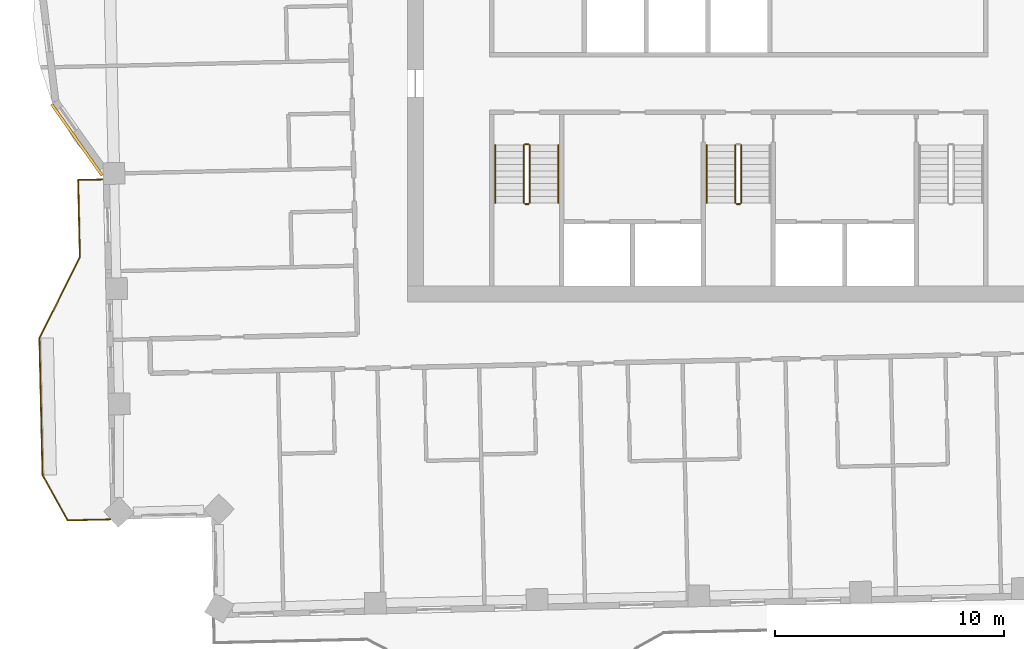
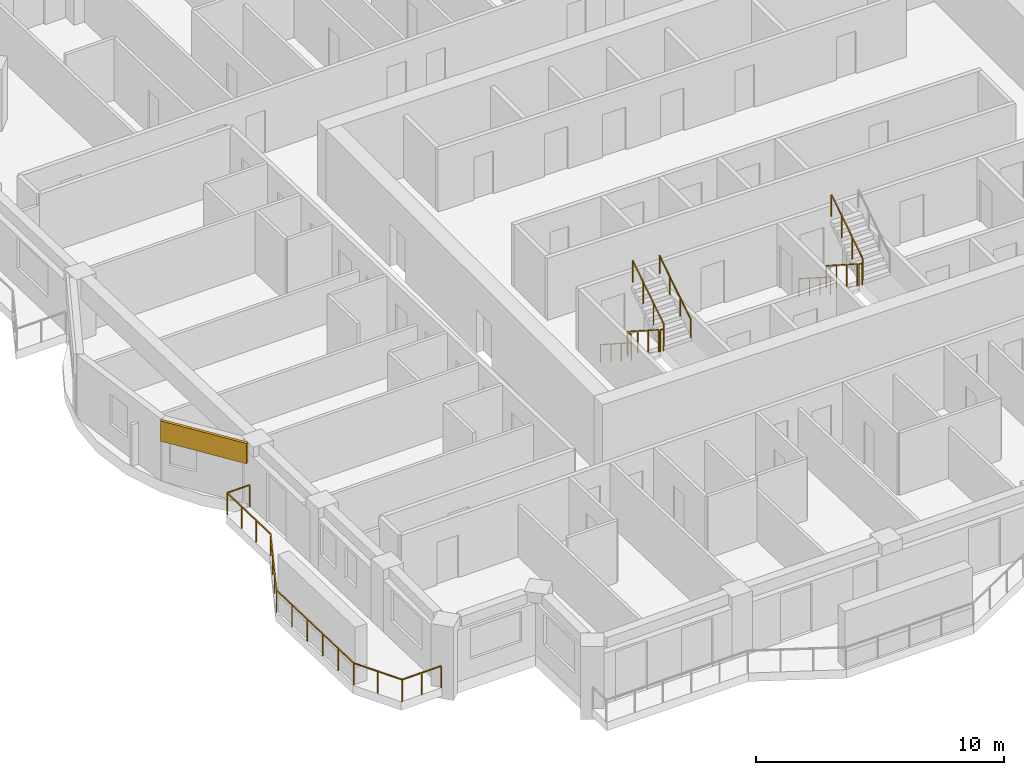
# One storey, part 14 of 18: 11 railings, 1 covering.
"""IFC4 building model written with IfcOpenShell, lengths in metres."""

from ifc_helpers import new_model, si_unit, direction, frame, frame_2d, origin, origin_2d, place, context, subcontext, project, spatial, rectangle, circle, extrude, material, layer, layer_set, type_object, element, save


model = new_model("IFC4")

# Units and contexts
model_context = context("Model", 3, precision=1e-05, world=origin(), true_north=direction((0.0, 1.0)))
body_context = subcontext(model_context, "Body", "Model", "MODEL_VIEW")
ifc_project = project(units=[si_unit("LENGTHUNIT", "METRE"), si_unit("AREAUNIT", "SQUARE_METRE"), si_unit("VOLUMEUNIT", "CUBIC_METRE"), si_unit("PLANEANGLEUNIT", "RADIAN"), si_unit("MASSUNIT", "GRAM", prefix="KILO")], contexts=[model_context])

# Site, building, storey
site_placement = place(None, origin())
site = spatial("IfcSite", under=ifc_project, at=site_placement, CompositionType="ELEMENT")
building_placement = place(site_placement, origin())
building = spatial("IfcBuilding", under=site, at=building_placement, Name="Mangrove Gate Tower", CompositionType="ELEMENT")
storey_placement = place(building_placement, frame((0.0, 0.0, 290.699951171875)))
storey = spatial("IfcBuildingStorey", under=building, at=storey_placement, Name="L74", CompositionType="ELEMENT", Elevation=290.699951171875)

# Railings
ifc_material_1 = material(Name="Stainless steel grade 316 with laminated glass infill", Category="steel")
railing_type_1 = type_object("IfcRailingType", Name="Balcony guard 1100", PredefinedType="GUARDRAIL", material=ifc_material_1)
railing_1_placement = place(storey_placement, frame((-27.839111328125, -6.14501953125, 0.0)))
element("IfcRailing", 1, at=railing_1_placement, inside=storey, type_object=railing_type_1, Name="GUARD L74 W2", PredefinedType="GUARDRAIL", context=body_context, shape_type="SweptSolid", body=[
    extrude(rectangle(XDim=0.048095703125, YDim=0.048095703125, at=origin_2d()), frame((0.0, 0.0, 1.076171875), z_axis=(-0.999744802133, -0.022590498181, 0.0), x_axis=(0.022590498181, -0.999744802133, 0.0)), (0.0, 0.0, 1.0), 1.05908203125),
    extrude(rectangle(XDim=0.048095703125, YDim=0.048095703125, at=origin_2d()), frame((-1.058837890625, -0.02392578125, 1.076171875), z_axis=(0.022497922048, -0.999746889719, 0.0), x_axis=(0.999746889719, 0.022497922048, 0.0)), (0.0, 0.0, 1.0), 3.374755859375),
    extrude(rectangle(XDim=0.048095703125, YDim=0.048095703125, at=origin_2d()), frame((-0.98291015625, -3.39794921875, 1.076171875), z_axis=(-0.447114919141, -0.894476522376, 0.0), x_axis=(0.894476522376, -0.447114919141, 0.0)), (0.0, 0.0, 1.0), 3.958740234375),
    extrude(rectangle(XDim=0.048095703125, YDim=0.048095703125, at=origin_2d()), frame((-2.7529296875, -6.93896484375, 1.076171875), z_axis=(0.022662255828, -0.999743178102, 0.0), x_axis=(0.999743178102, 0.022662255828, 0.0)), (0.0, 0.0, 1.0), 6.00048828125),
    extrude(rectangle(XDim=0.048095703125, YDim=0.048095703125, at=origin_2d()), frame((-2.616943359375, -12.93798828125, 1.076171875), z_axis=(0.487255140858, -0.873259656521, 0.0), x_axis=(0.873259656521, 0.487255140858, 0.0)), (0.0, 0.0, 1.0), 2.26171875),
    extrude(rectangle(XDim=0.048095703125, YDim=0.048095703125, at=origin_2d()), frame((-1.514892578125, -14.9130859375, 1.076171875), z_axis=(0.999743329406, 0.02265558006, 0.0), x_axis=(-0.02265558006, 0.999743329406, 0.0)), (0.0, 0.0, 1.0), 1.853515625),
    extrude(rectangle(XDim=0.0419921875, YDim=0.0419921875, at=origin_2d()), origin(), (0.0, 0.0, 1.0), 1.052001953125),
    extrude(rectangle(XDim=0.0419921875, YDim=0.0419921875, at=origin_2d()), frame((-1.058837890625, -0.02392578125, 0.0)), (0.0, 0.0, 1.0), 1.052001953125),
    extrude(rectangle(XDim=0.0419921875, YDim=0.0419921875, at=origin_2d()), frame((-1.033447265625, -1.148681640625, 0.0)), (0.0, 0.0, 1.0), 1.052001953125),
    extrude(rectangle(XDim=0.0419921875, YDim=0.0419921875, at=origin_2d()), frame((-1.00830078125, -2.273193359375, 0.0)), (0.0, 0.0, 1.0), 1.052001953125),
    extrude(rectangle(XDim=0.0419921875, YDim=0.0419921875, at=origin_2d()), frame((-0.98291015625, -3.39794921875, 0.0)), (0.0, 0.0, 1.0), 1.052001953125),
    extrude(rectangle(XDim=0.0419921875, YDim=0.0419921875, at=origin_2d()), frame((-1.572998046875, -4.578369140625, 0.0)), (0.0, 0.0, 1.0), 1.052001953125),
    extrude(rectangle(XDim=0.0419921875, YDim=0.0419921875, at=origin_2d()), frame((-2.162841796875, -5.758544921875, 0.0)), (0.0, 0.0, 1.0), 1.052001953125),
    extrude(rectangle(XDim=0.0419921875, YDim=0.0419921875, at=origin_2d()), frame((-2.7529296875, -6.93896484375, 0.0)), (0.0, 0.0, 1.0), 1.052001953125),
    extrude(rectangle(XDim=0.0419921875, YDim=0.0419921875, at=origin_2d()), frame((-2.725830078125, -8.138671875, 0.0)), (0.0, 0.0, 1.0), 1.052001953125),
    extrude(rectangle(XDim=0.0419921875, YDim=0.0419921875, at=origin_2d()), frame((-2.698486328125, -9.338623046875, 0.0)), (0.0, 0.0, 1.0), 1.052001953125),
    extrude(rectangle(XDim=0.0419921875, YDim=0.0419921875, at=origin_2d()), frame((-2.67138671875, -10.538330078125, 0.0)), (0.0, 0.0, 1.0), 1.052001953125),
    extrude(rectangle(XDim=0.0419921875, YDim=0.0419921875, at=origin_2d()), frame((-2.64404296875, -11.73828125, 0.0)), (0.0, 0.0, 1.0), 1.052001953125),
    extrude(rectangle(XDim=0.0419921875, YDim=0.0419921875, at=origin_2d()), frame((-2.616943359375, -12.93798828125, 0.0)), (0.0, 0.0, 1.0), 1.052001953125),
    extrude(rectangle(XDim=0.0419921875, YDim=0.0419921875, at=origin_2d()), frame((-2.06591796875, -13.925537109375, 0.0)), (0.0, 0.0, 1.0), 1.052001953125),
    extrude(rectangle(XDim=0.0419921875, YDim=0.0419921875, at=origin_2d()), frame((-1.514892578125, -14.9130859375, 0.0)), (0.0, 0.0, 1.0), 1.052001953125),
    extrude(rectangle(XDim=0.0419921875, YDim=0.0419921875, at=origin_2d()), frame((-0.58837890625, -14.89208984375, 0.0)), (0.0, 0.0, 1.0), 1.052001953125),
    extrude(rectangle(XDim=0.0419921875, YDim=0.0419921875, at=origin_2d()), frame((0.338134765625, -14.87109375, 0.0)), (0.0, 0.0, 1.0), 1.052001953125),
])
ifc_material_2 = material(Name="Stainless steel 316", Category="steel")
railing_type_2 = type_object("IfcRailingType", Name="Core stair guard 1100", PredefinedType="GUARDRAIL", material=ifc_material_2)
railing_2_placement = place(storey_placement, frame((-9.39990234375, -4.64990234375, 0.179931640625)))
element("IfcRailing", 2, at=railing_2_placement, inside=storey, type_object=railing_type_2, Name="L74 ST1 stair guard 1", PredefinedType="GUARDRAIL", context=body_context, shape_type="SweptSolid", body=[
    extrude(rectangle(XDim=0.048095703125, YDim=0.048095703125, at=origin_2d()), frame((0.0, 0.0, 1.076171875), z_axis=(0.0, -0.841162588446, 0.540782303519), x_axis=(1.0, 0.0, 0.0)), (0.0, 0.0, 1.0), 2.995849609375),
    extrude(rectangle(XDim=0.0419921875, YDim=0.0419921875, at=origin_2d()), origin(), (0.0, 0.0, 1.0), 1.052001953125),
    extrude(rectangle(XDim=0.0419921875, YDim=0.0419921875, at=origin_2d()), frame((0.0, -0.840087890625, 0.5400390625)), (0.0, 0.0, 1.0), 1.052001953125),
    extrude(rectangle(XDim=0.0419921875, YDim=0.0419921875, at=origin_2d()), frame((0.0, -1.679931640625, 1.080078125)), (0.0, 0.0, 1.0), 1.052001953125),
    extrude(rectangle(XDim=0.0419921875, YDim=0.0419921875, at=origin_2d()), frame((0.0, -2.52001953125, 1.6201171875)), (0.0, 0.0, 1.0), 1.052001953125),
])
railing_3_placement = place(storey_placement, frame((-9.35009765625, -7.219970703125, 1.800048828125)))
element("IfcRailing", 3, at=railing_3_placement, inside=storey, type_object=railing_type_2, Name="L74 ST1 stair guard 2", PredefinedType="GUARDRAIL", context=body_context, shape_type="SweptSolid", body=[
    extrude(rectangle(XDim=0.048095703125, YDim=0.048095703125, at=origin_2d()), frame((0.0, 0.0, 1.076171875), z_axis=(1.0, 0.0, 0.0), x_axis=(0.0, 1.0, 0.0)), (0.0, 0.0, 1.0), 0.150146484375),
    extrude(rectangle(XDim=0.0419921875, YDim=0.0419921875, at=origin_2d()), origin(), (0.0, 0.0, 1.0), 1.052001953125),
    extrude(rectangle(XDim=0.0419921875, YDim=0.0419921875, at=origin_2d()), frame((0.150146484375, 0.0, 0.0)), (0.0, 0.0, 1.0), 1.052001953125),
])
railing_4_placement = place(storey_placement, frame((-9.14990234375, -7.169921875, 1.97998046875)))
element("IfcRailing", 4, at=railing_4_placement, inside=storey, type_object=railing_type_2, Name="L74 ST1 stair guard 3", PredefinedType="GUARDRAIL", context=body_context, shape_type="SweptSolid", body=[
    extrude(rectangle(XDim=0.048095703125, YDim=0.048095703125, at=origin_2d()), frame((0.0, 0.0, 1.076171875), z_axis=(0.0, 0.841162588446, 0.540782303519), x_axis=(-1.0, 0.0, 0.0)), (0.0, 0.0, 1.0), 2.995849609375),
    extrude(rectangle(XDim=0.0419921875, YDim=0.0419921875, at=origin_2d()), origin(), (0.0, 0.0, 1.0), 1.052001953125),
    extrude(rectangle(XDim=0.0419921875, YDim=0.0419921875, at=origin_2d()), frame((0.0, 0.840087890625, 0.5400390625)), (0.0, 0.0, 1.0), 1.052001953125),
    extrude(rectangle(XDim=0.0419921875, YDim=0.0419921875, at=origin_2d()), frame((0.0, 1.679931640625, 1.080078125)), (0.0, 0.0, 1.0), 1.052001953125),
    extrude(rectangle(XDim=0.0419921875, YDim=0.0419921875, at=origin_2d()), frame((0.0, 2.52001953125, 1.6201171875)), (0.0, 0.0, 1.0), 1.052001953125),
])
railing_5_placement = place(storey_placement, frame((-9.35009765625, -4.60009765625, 0.0)))
element("IfcRailing", 5, at=railing_5_placement, inside=storey, type_object=railing_type_2, Name="L74 ST1 stair guard 4", PredefinedType="GUARDRAIL", context=body_context, shape_type="SweptSolid", body=[
    extrude(rectangle(XDim=0.048095703125, YDim=0.048095703125, at=origin_2d()), frame((0.0, 0.0, 1.076171875), z_axis=(1.0, 0.0, 0.0), x_axis=(0.0, 1.0, 0.0)), (0.0, 0.0, 1.0), 0.150146484375),
    extrude(rectangle(XDim=0.0419921875, YDim=0.0419921875, at=origin_2d()), origin(), (0.0, 0.0, 1.0), 1.052001953125),
    extrude(rectangle(XDim=0.0419921875, YDim=0.0419921875, at=origin_2d()), frame((0.150146484375, 0.0, 0.0)), (0.0, 0.0, 1.0), 1.052001953125),
])
railing_6_placement = place(storey_placement, frame((-0.14990234375, -4.64990234375, 0.179931640625)))
element("IfcRailing", 6, at=railing_6_placement, inside=storey, type_object=railing_type_2, Name="L74 ST2 stair guard 1", PredefinedType="GUARDRAIL", context=body_context, shape_type="SweptSolid", body=[
    extrude(rectangle(XDim=0.048095703125, YDim=0.048095703125, at=origin_2d()), frame((0.0, 0.0, 1.076171875), z_axis=(0.0, -0.841162588446, 0.540782303519), x_axis=(1.0, 0.0, 0.0)), (0.0, 0.0, 1.0), 2.995849609375),
    extrude(rectangle(XDim=0.0419921875, YDim=0.0419921875, at=origin_2d()), origin(), (0.0, 0.0, 1.0), 1.052001953125),
    extrude(rectangle(XDim=0.0419921875, YDim=0.0419921875, at=origin_2d()), frame((0.0, -0.840087890625, 0.5400390625)), (0.0, 0.0, 1.0), 1.052001953125),
    extrude(rectangle(XDim=0.0419921875, YDim=0.0419921875, at=origin_2d()), frame((0.0, -1.679931640625, 1.080078125)), (0.0, 0.0, 1.0), 1.052001953125),
    extrude(rectangle(XDim=0.0419921875, YDim=0.0419921875, at=origin_2d()), frame((0.0, -2.52001953125, 1.6201171875)), (0.0, 0.0, 1.0), 1.052001953125),
])
railing_7_placement = place(storey_placement, frame((-0.10009765625, -7.219970703125, 1.800048828125)))
element("IfcRailing", 7, at=railing_7_placement, inside=storey, type_object=railing_type_2, Name="L74 ST2 stair guard 2", PredefinedType="GUARDRAIL", context=body_context, shape_type="SweptSolid", body=[
    extrude(rectangle(XDim=0.048095703125, YDim=0.048095703125, at=origin_2d()), frame((0.0, 0.0, 1.076171875), z_axis=(1.0, 0.0, 0.0), x_axis=(0.0, 1.0, 0.0)), (0.0, 0.0, 1.0), 0.150146484375),
    extrude(rectangle(XDim=0.0419921875, YDim=0.0419921875, at=origin_2d()), origin(), (0.0, 0.0, 1.0), 1.052001953125),
    extrude(rectangle(XDim=0.0419921875, YDim=0.0419921875, at=origin_2d()), frame((0.150146484375, 0.0, 0.0)), (0.0, 0.0, 1.0), 1.052001953125),
])
railing_8_placement = place(storey_placement, frame((0.10009765625, -7.169921875, 1.97998046875)))
element("IfcRailing", 8, at=railing_8_placement, inside=storey, type_object=railing_type_2, Name="L74 ST2 stair guard 3", PredefinedType="GUARDRAIL", context=body_context, shape_type="SweptSolid", body=[
    extrude(rectangle(XDim=0.048095703125, YDim=0.048095703125, at=origin_2d()), frame((0.0, 0.0, 1.076171875), z_axis=(0.0, 0.841162588446, 0.540782303519), x_axis=(-1.0, 0.0, 0.0)), (0.0, 0.0, 1.0), 2.995849609375),
    extrude(rectangle(XDim=0.0419921875, YDim=0.0419921875, at=origin_2d()), origin(), (0.0, 0.0, 1.0), 1.052001953125),
    extrude(rectangle(XDim=0.0419921875, YDim=0.0419921875, at=origin_2d()), frame((0.0, 0.840087890625, 0.5400390625)), (0.0, 0.0, 1.0), 1.052001953125),
    extrude(rectangle(XDim=0.0419921875, YDim=0.0419921875, at=origin_2d()), frame((0.0, 1.679931640625, 1.080078125)), (0.0, 0.0, 1.0), 1.052001953125),
    extrude(rectangle(XDim=0.0419921875, YDim=0.0419921875, at=origin_2d()), frame((0.0, 2.52001953125, 1.6201171875)), (0.0, 0.0, 1.0), 1.052001953125),
])
ifc_material_3 = material(Name="Stainless steel 316", Category="steel")
railing_type_3 = type_object("IfcRailingType", Name="Core stair handrail 900", PredefinedType="HANDRAIL", material=ifc_material_3)
railing_9_placement = place(storey_placement, frame((-10.64990234375, -4.64990234375, 0.179931640625)))
element("IfcRailing", 9, at=railing_9_placement, inside=storey, type_object=railing_type_3, Name="L74 ST1 stair handrail 1", PredefinedType="HANDRAIL", context=body_context, shape_type="SweptSolid", body=[
    extrude(circle(Radius=0.02392578125, at=origin_2d()), frame((0.0, 0.0, 0.8759765625), z_axis=(0.0, -0.841162588446, 0.540782303519), x_axis=(1.0, 0.0, 0.0)), (0.0, 0.0, 1.0), 2.995849609375),
    extrude(circle(Radius=0.02099609375, at=origin_2d()), origin(), (0.0, 0.0, 1.0), 0.851806640625),
    extrude(circle(Radius=0.02099609375, at=origin_2d()), frame((0.0, -0.840087890625, 0.5400390625)), (0.0, 0.0, 1.0), 0.851806640625),
    extrude(circle(Radius=0.02099609375, at=origin_2d()), frame((0.0, -1.679931640625, 1.080078125)), (0.0, 0.0, 1.0), 0.851806640625),
    extrude(circle(Radius=0.02099609375, at=origin_2d()), frame((0.0, -2.52001953125, 1.6201171875)), (0.0, 0.0, 1.0), 0.851806640625),
])
railing_10_placement = place(storey_placement, frame((-7.89990234375, -7.169921875, 1.97998046875)))
element("IfcRailing", 10, at=railing_10_placement, inside=storey, type_object=railing_type_3, Name="L74 ST1 stair handrail 2", PredefinedType="HANDRAIL", context=body_context, shape_type="SweptSolid", body=[
    extrude(circle(Radius=0.02392578125, at=origin_2d()), frame((0.0, 0.0, 0.8759765625), z_axis=(0.0, 0.841162588446, 0.540782303519), x_axis=(-1.0, 0.0, 0.0)), (0.0, 0.0, 1.0), 2.995849609375),
    extrude(circle(Radius=0.02099609375, at=origin_2d()), origin(), (0.0, 0.0, 1.0), 0.851806640625),
    extrude(circle(Radius=0.02099609375, at=origin_2d()), frame((0.0, 0.840087890625, 0.5400390625)), (0.0, 0.0, 1.0), 0.851806640625),
    extrude(circle(Radius=0.02099609375, at=origin_2d()), frame((0.0, 1.679931640625, 1.080078125)), (0.0, 0.0, 1.0), 0.851806640625),
    extrude(circle(Radius=0.02099609375, at=origin_2d()), frame((0.0, 2.52001953125, 1.6201171875)), (0.0, 0.0, 1.0), 0.851806640625),
])
railing_11_placement = place(storey_placement, frame((-1.39990234375, -4.64990234375, 0.179931640625)))
element("IfcRailing", 11, at=railing_11_placement, inside=storey, type_object=railing_type_3, Name="L74 ST2 stair handrail 1", PredefinedType="HANDRAIL", context=body_context, shape_type="SweptSolid", body=[
    extrude(circle(Radius=0.02392578125, at=origin_2d()), frame((0.0, 0.0, 0.8759765625), z_axis=(0.0, -0.841162588446, 0.540782303519), x_axis=(1.0, 0.0, 0.0)), (0.0, 0.0, 1.0), 2.995849609375),
    extrude(circle(Radius=0.02099609375, at=origin_2d()), origin(), (0.0, 0.0, 1.0), 0.851806640625),
    extrude(circle(Radius=0.02099609375, at=origin_2d()), frame((0.0, -0.840087890625, 0.5400390625)), (0.0, 0.0, 1.0), 0.851806640625),
    extrude(circle(Radius=0.02099609375, at=origin_2d()), frame((0.0, -1.679931640625, 1.080078125)), (0.0, 0.0, 1.0), 0.851806640625),
    extrude(circle(Radius=0.02099609375, at=origin_2d()), frame((0.0, -2.52001953125, 1.6201171875)), (0.0, 0.0, 1.0), 0.851806640625),
])

# Covering
ifc_material_4 = material(Name="Limestone", Category="masonry")
ifc_layer_1 = layer(ifc_material_4, 0.0400390625, Name="Limestone cladding")
ifc_material_5 = material(Name="Stainless steel anchors and cavity", Category="steel")
ifc_layer_2 = layer(ifc_material_5, 0.080078125, Name="Fixing cavity")
ifc_layer_set = layer_set([ifc_layer_1, ifc_layer_2], Name="Joint fascia cladding 120")
covering_type = type_object("IfcCoveringType", Name="Joint fascia cladding 120", PredefinedType="CLADDING", material=ifc_layer_set)
covering_placement = place(storey_placement, frame((-30.053955078125, -2.85888671875, 2.050048828125), z_axis=(0.0, 0.0, 1.0), x_axis=(0.578137942148, -0.815939041748, 0.0)))
element("IfcCovering", 12, at=covering_placement, inside=storey, type_object=covering_type, Name="STONE FASCIA L74 W9.L2", PredefinedType="CLADDING", context=body_context, shape_type="SweptSolid", body=[
    extrude(rectangle(XDim=3.819091796875, YDim=0.1201171875, at=frame_2d((1.90966796875, 0.0))), origin(), (0.0, 0.0, 1.0), 1.0),
])

save(model, "model.ifc")
